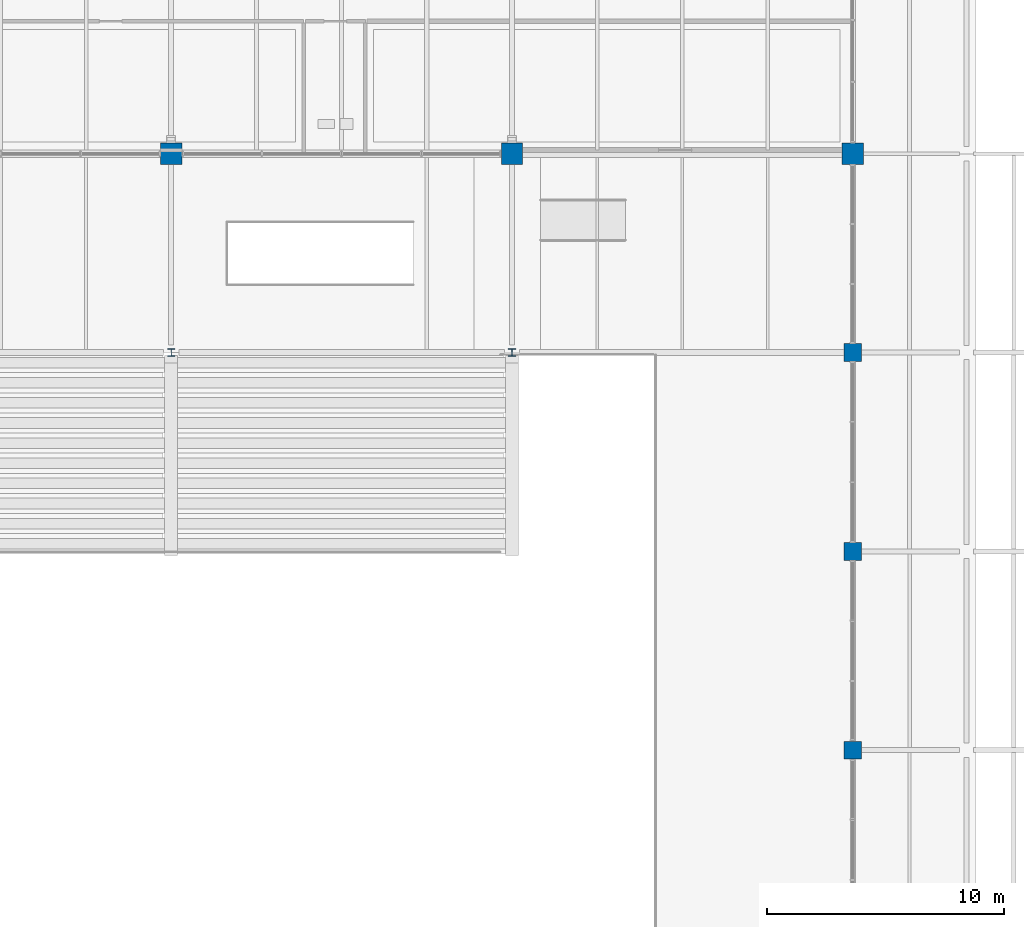
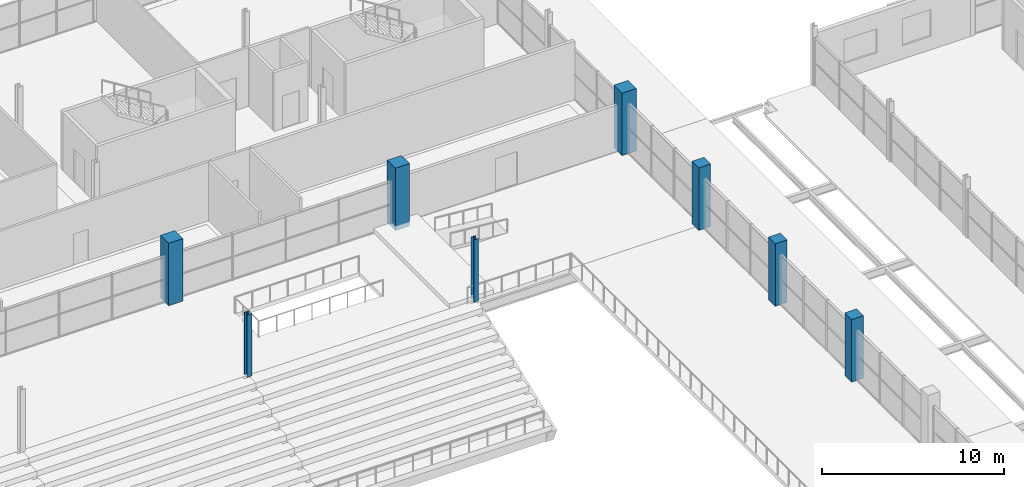
# One storey, part 9 of 161: 8 columns.
"""IFC4 building model written with IfcOpenShell, lengths in metres."""

import ifcopenshell
import ifcopenshell.guid

model = None  # the IFC model being written
_history = None  # IfcOwnerHistory: only IFC2X3 demands one
_inside = {}  # id of a spatial element -> (the spatial element, [elements in it])
_under = {}  # id of a project, library or spatial element -> (it, [spatial elements below it])
_declared = {}  # id of a project -> (the project, [libraries it declares])
_typed = {}  # id of a type object -> (the type object, [elements of that type])
_made_of = {}  # id of a material, layer set ... -> (it, [elements and type objects made of it])


def new_model(schema):
    """Start an empty IFC model of exactly this schema.

    Asked for "IFC4X3", IfcOpenShell would pick the latest addendum, in which some entities
    have other attributes; the version numbers below select the first issue.
    IFC2X3 requires an IfcOwnerHistory on every rooted entity: one is made here for all.
    """
    global model, _history
    if schema == "IFC4X3":
        model = ifcopenshell.file(schema_version=(4, 3, 0, 0))
    else:
        model = ifcopenshell.file(schema=schema)
    _inside.clear()
    _under.clear()
    _declared.clear()
    _typed.clear()
    _made_of.clear()
    _history = None
    if model.schema == "IFC2X3":
        org = make("IfcOrganization", Name="unknown")
        user = make(
            "IfcPersonAndOrganization",
            ThePerson=make("IfcPerson", FamilyName="unknown"),
            TheOrganization=org,
        )
        app = make(
            "IfcApplication",
            ApplicationDeveloper=org,
            Version="unknown",
            ApplicationFullName="unknown",
            ApplicationIdentifier="unknown",
        )
        _history = make(
            "IfcOwnerHistory",
            OwningUser=user,
            OwningApplication=app,
            ChangeAction="ADDED",
            CreationDate=0,
        )
    return model


def make(cls, **values):
    """One entity of the class cls with the attributes given. An attribute that is None is left unset."""
    return model.create_entity(
        cls, **{name: value for name, value in values.items() if value is not None}
    )


def rooted(cls, **values):
    """An entity with a GlobalId (a new one), such as an element, a storey or a relation."""
    return make(cls, GlobalId=ifcopenshell.guid.new(), OwnerHistory=_history, **values)


def si_unit(unit_type, name, prefix=None):
    """IfcSIUnit, for example si_unit("LENGTHUNIT", "METRE", prefix="MILLI")."""
    return make("IfcSIUnit", UnitType=unit_type, Prefix=prefix, Name=name)


def assignment(units):
    """IfcUnitAssignment: the units of a project."""
    return None if units is None else make("IfcUnitAssignment", Units=units)


def point(xyz):
    """IfcCartesianPoint."""
    return None if xyz is None else make("IfcCartesianPoint", Coordinates=xyz)


def direction(xyz):
    """IfcDirection."""
    return None if xyz is None else make("IfcDirection", DirectionRatios=xyz)


def frame(location, z_axis=None, x_axis=None):
    """IfcAxis2Placement3D, a coordinate frame: its origin and axes. An axis left out is left unset."""
    return make(
        "IfcAxis2Placement3D",
        Location=point(location),
        Axis=direction(z_axis),
        RefDirection=direction(x_axis),
    )


def frame_2d(location, x_axis=None):
    """IfcAxis2Placement2D, a coordinate frame in the plane: its origin and x axis."""
    return make(
        "IfcAxis2Placement2D", Location=point(location), RefDirection=direction(x_axis)
    )


def origin():
    """The frame at (0, 0, 0) with its axes left unset."""
    return frame((0.0, 0.0, 0.0))


def origin_2d():
    """The frame at (0, 0) in the plane with its x axis left unset."""
    return frame_2d((0.0, 0.0))


def place(relative_to, where):
    """IfcLocalPlacement: puts the frame where relative to a parent placement (None: the world)."""
    return make(
        "IfcLocalPlacement", PlacementRelTo=relative_to, RelativePlacement=where
    )


def context(
    kind, dimensions, precision=None, world=None, true_north=None, identifier=None
):
    """IfcGeometricRepresentationContext, for example the 3D "Model" context."""
    return make(
        "IfcGeometricRepresentationContext",
        ContextIdentifier=identifier,
        ContextType=kind,
        CoordinateSpaceDimension=dimensions,
        Precision=precision,
        WorldCoordinateSystem=world,
        TrueNorth=true_north,
    )


def subcontext(parent, identifier, kind, view, scale=None):
    """IfcGeometricRepresentationSubContext, for example "Body" below "Model"."""
    return make(
        "IfcGeometricRepresentationSubContext",
        ContextIdentifier=identifier,
        ContextType=kind,
        ParentContext=parent,
        TargetScale=scale,
        TargetView=view,
    )


def project(units=None, contexts=None):
    """IfcProject with its units and contexts."""
    return rooted(
        "IfcProject",
        Name="project",
        RepresentationContexts=contexts,
        UnitsInContext=assignment(units),
    )


def spatial(cls, under=None, at=None, **own):
    """A site, building, storey or space (cls), placed at a placement, below another one or the project."""
    s = rooted(cls, ObjectPlacement=at, **own)
    if under is not None:
        _under.setdefault(under.id(), (under, []))[1].append(s)
    return s


def profile(cls, at=None, kind="AREA", **sizes):
    """A parametric profile (cls). Its sizes go by their IFC names, for example OverallWidth=200.0."""
    return make(cls, ProfileType=kind, Position=at, **sizes)


def rectangle(**sizes):
    """IfcRectangleProfileDef."""
    return profile("IfcRectangleProfileDef", **sizes)


def i_section(**sizes):
    """IfcIShapeProfileDef."""
    return profile("IfcIShapeProfileDef", **sizes)


def extrude(swept, where, along, depth):
    """IfcExtrudedAreaSolid: the profile swept, set in the frame where, extruded along a direction by depth."""
    return make(
        "IfcExtrudedAreaSolid",
        SweptArea=swept,
        Position=where,
        ExtrudedDirection=direction(along),
        Depth=depth,
    )


def shape(context_of_items, identifier, shape_type, items):
    """IfcShapeRepresentation: the items that make up one representation, for example the "Body"."""
    return make(
        "IfcShapeRepresentation",
        ContextOfItems=context_of_items,
        RepresentationIdentifier=identifier,
        RepresentationType=shape_type,
        Items=items,
    )


def material(Name=None, Category=None):
    """IfcMaterial."""
    return make("IfcMaterial", Name=Name, Category=Category)


def material_profile(
    of_material, cross_section, Name=None, Category=None, Priority=None
):
    """IfcMaterialProfile: a cross section and its material."""
    return make(
        "IfcMaterialProfile",
        Name=Name,
        Material=of_material,
        Profile=cross_section,
        Priority=Priority,
        Category=Category,
    )


def profile_set(profiles, Name=None, composite=None):
    """IfcMaterialProfileSet."""
    return make(
        "IfcMaterialProfileSet",
        Name=Name,
        MaterialProfiles=profiles,
        CompositeProfile=composite,
    )


def made_of(thing, what):
    """Note that an element or type object is made of a material, layer set ...; save() writes the relation."""
    if what is not None:
        _made_of.setdefault(what.id(), (what, []))[1].append(thing)
    return thing


def type_object(cls, material=None, **own):
    """A type object (cls), such as IfcWallType, which elements share."""
    return made_of(rooted(cls, **own), material)


def element(
    cls,
    number,
    at=None,
    inside=None,
    cuts=None,
    type_object=None,
    material=None,
    context=None,
    identifier="Body",
    shape_type=None,
    held_by="IfcProductDefinitionShape",
    body=None,
    shapes=None,
    **own,
):
    """One element of the class cls, such as IfcWall. Its Tag is "e" and its number.

    at: its placement. inside: the storey or other place that contains it. cuts: it is an
    opening in that element (IfcRelVoidsElement). A single representation is given by context,
    identifier, shape_type and body (its items); several are given by shapes. held_by: the class
    of the entity that holds the representations. save() writes the other relations.
    """
    e = rooted(cls, Tag="e%d" % number, ObjectPlacement=at, **own)
    if body is not None:
        shapes = [shape(context, identifier, shape_type, body)]
    if shapes is not None:
        e.Representation = make(held_by, Representations=shapes)
    if inside is not None:
        _inside.setdefault(inside.id(), (inside, []))[1].append(e)
    if cuts is not None:
        rooted(
            "IfcRelVoidsElement", RelatingBuildingElement=cuts, RelatedOpeningElement=e
        )
    if type_object is not None:
        _typed.setdefault(type_object.id(), (type_object, []))[1].append(e)
    return made_of(e, material)


def aggregate(whole, parts):
    """IfcRelAggregates: a whole, such as a stair, and the parts it consists of."""
    return rooted("IfcRelAggregates", RelatingObject=whole, RelatedObjects=parts)


def save(model, path):
    """Write the relations noted so far, then the file.

    IfcRelAggregates (storeys below a building ...), IfcRelContainedInSpatialStructure (elements
    in a storey), IfcRelDefinesByType, IfcRelAssociatesMaterial and IfcRelDeclares: one each for
    every whole, place, type object, material and project.
    """
    for whole, parts in _under.values():
        aggregate(whole, parts)
    for where, things in _inside.values():
        rooted(
            "IfcRelContainedInSpatialStructure",
            RelatedElements=things,
            RelatingStructure=where,
        )
    for kind, things in _typed.values():
        rooted("IfcRelDefinesByType", RelatedObjects=things, RelatingType=kind)
    for what, things in _made_of.values():
        rooted("IfcRelAssociatesMaterial", RelatedObjects=things, RelatingMaterial=what)
    for by, libraries in _declared.values():
        rooted("IfcRelDeclares", RelatingContext=by, RelatedDefinitions=libraries)
    model.write(path)


model = new_model("IFC4")

# Units and contexts
model_context = context("Model", 3, precision=1e-05, world=origin(), true_north=direction((0.0, 1.0)))
body_context = subcontext(model_context, "Body", "Model", "MODEL_VIEW")
ifc_project = project(units=[si_unit("LENGTHUNIT", "METRE"), si_unit("AREAUNIT", "SQUARE_METRE"), si_unit("VOLUMEUNIT", "CUBIC_METRE"), si_unit("PLANEANGLEUNIT", "RADIAN"), si_unit("MASSUNIT", "GRAM", prefix="KILO"), si_unit("THERMODYNAMICTEMPERATUREUNIT", "KELVIN")], contexts=[model_context])

# Site, building, storey
site_placement = place(None, origin())
site = spatial("IfcSite", under=ifc_project, at=site_placement, CompositionType="ELEMENT")
building_placement = place(site_placement, origin())
building = spatial("IfcBuilding", under=site, at=building_placement, Name="Nduvali Passage Aquatics Centre", CompositionType="ELEMENT")
storey_placement = place(building_placement, frame((0.0, 0.0, 4.800048828125)))
storey = spatial("IfcBuildingStorey", under=building, at=storey_placement, Name="L01", CompositionType="ELEMENT", Elevation=4.800048828125)

# Columns
ifc_material_1 = material(Name="Concrete C40/50", Category="concrete")
ifc_material_profile_1 = material_profile(ifc_material_1, rectangle(XDim=0.75, YDim=0.75, at=origin_2d()), Name="RC 750x750")
ifc_profile_set_1 = profile_set([ifc_material_profile_1], Name="Concrete C40/50")
column_type_1 = type_object("IfcColumnType", Name="STR-COL-RC750-EXT", PredefinedType="COLUMN", material=ifc_profile_set_1)
for number, where, z_axis, x_axis, name in (
    (1, (126.0, 67.199951171875, 0.0), (0.0, 0.0, 1.0), (1.0, 0.0, 0.0), "L01 Column C2E (126.0, 67.2)"),
    (2, (126.0, 75.60009765625, 0.0), (0.0, 0.0, 1.0), (1.0, 0.0, 0.0), "L01 Column C2E (126.0, 75.6)"),
    (3, (126.0, 84.0, 0.0), (0.0, 0.0, 1.0), (1.0, 0.0, 0.0), "L01 Column C2E (126.0, 84.0)"),
):
    element("IfcColumn", number, at=place(storey_placement, frame(where, z_axis=z_axis, x_axis=x_axis)), inside=storey, type_object=column_type_1, Name=name, PredefinedType="COLUMN", context=body_context, shape_type="SweptSolid", body=[
        extrude(rectangle(XDim=0.75, YDim=0.75, at=origin_2d()), origin(), (0.0, 0.0, 1.0), 4.199951171875),
    ])
ifc_material_profile_2 = material_profile(ifc_material_1, rectangle(XDim=0.89990234375, YDim=0.89990234375, at=origin_2d()), Name="RC 900x900")
ifc_profile_set_2 = profile_set([ifc_material_profile_2], Name="Concrete C40/50")
column_type_2 = type_object("IfcColumnType", Name="STR-COL-RC900-EXT", PredefinedType="COLUMN", material=ifc_profile_set_2)
for number, where, z_axis, x_axis, name in (
    (4, (97.199951171875, 92.39990234375, 0.0), (0.0, 0.0, 1.0), (1.0, 0.0, 0.0), "L01 Column C1E (97.2, 92.4)"),
    (5, (111.60009765625, 92.39990234375, 0.0), (0.0, 0.0, 1.0), (1.0, 0.0, 0.0), "L01 Column C1E (111.6, 92.4)"),
    (6, (126.0, 92.39990234375, 0.0), (0.0, 0.0, 1.0), (1.0, 0.0, 0.0), "L01 Column C1E (126.0, 92.4)"),
):
    element("IfcColumn", number, at=place(storey_placement, frame(where, z_axis=z_axis, x_axis=x_axis)), inside=storey, type_object=column_type_2, Name=name, PredefinedType="COLUMN", context=body_context, shape_type="SweptSolid", body=[
        extrude(rectangle(XDim=0.89990234375, YDim=0.89990234375, at=origin_2d()), origin(), (0.0, 0.0, 1.0), 4.199951171875),
    ])
ifc_material_2 = material(Name="Steel S355", Category="steel")
ifc_material_profile_3 = material_profile(ifc_material_2, i_section(OverallWidth=0.30908203125, OverallDepth=0.320556640625, WebThickness=0.013916015625, FlangeThickness=0.021728515625, FilletRadius=0.01513671875, at=origin_2d()), Name="UKC 305x305x137")
ifc_profile_set_3 = profile_set([ifc_material_profile_3], Name="Steel S355")
column_type_3 = type_object("IfcColumnType", Name="STR-COL-UKC305", PredefinedType="COLUMN", material=ifc_profile_set_3)
for number, where, z_axis, x_axis, name in (
    (7, (97.199951171875, 84.0, 0.0), (0.0, 0.0, 1.0), (1.0, 0.0, 0.0), "L01 Column C6 (97.2, 84.0)"),
    (8, (111.60009765625, 84.0, 0.0), (0.0, 0.0, 1.0), (1.0, 0.0, 0.0), "L01 Column C6 (111.6, 84.0)"),
):
    element("IfcColumn", number, at=place(storey_placement, frame(where, z_axis=z_axis, x_axis=x_axis)), inside=storey, type_object=column_type_3, Name=name, PredefinedType="COLUMN", context=body_context, shape_type="SweptSolid", body=[
        extrude(i_section(OverallWidth=0.30908203125, OverallDepth=0.320556640625, WebThickness=0.013916015625, FlangeThickness=0.021728515625, FilletRadius=0.01513671875, at=origin_2d()), origin(), (0.0, 0.0, 1.0), 4.199951171875),
    ])

save(model, "model.ifc")
